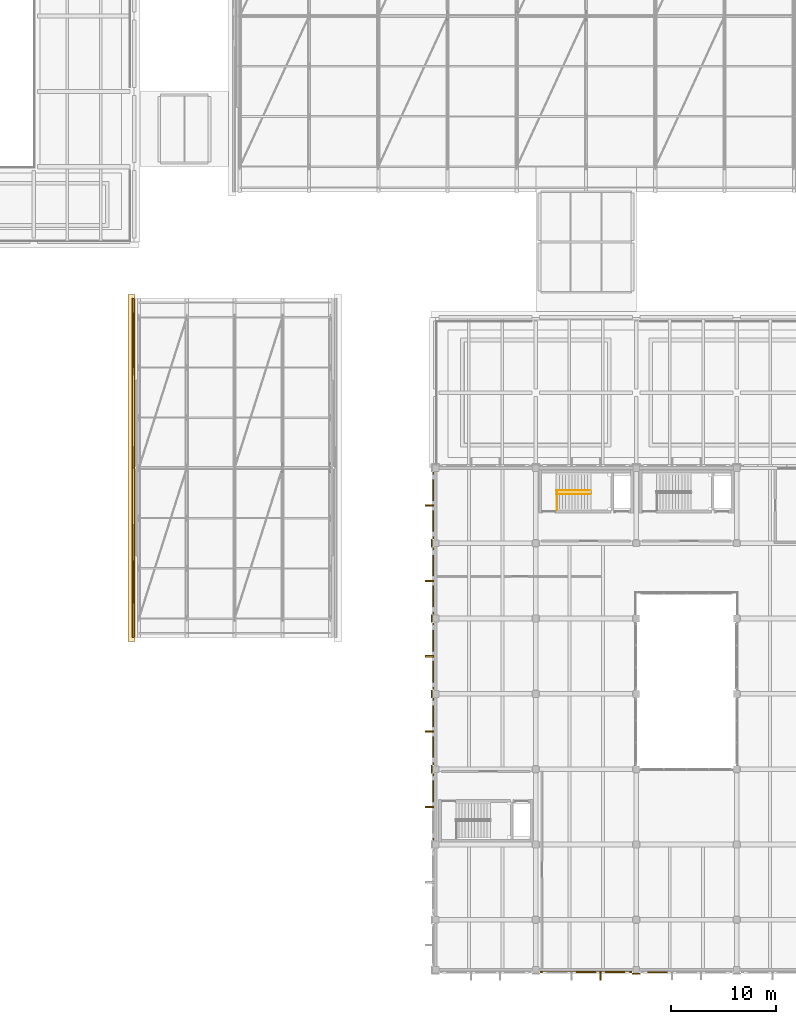
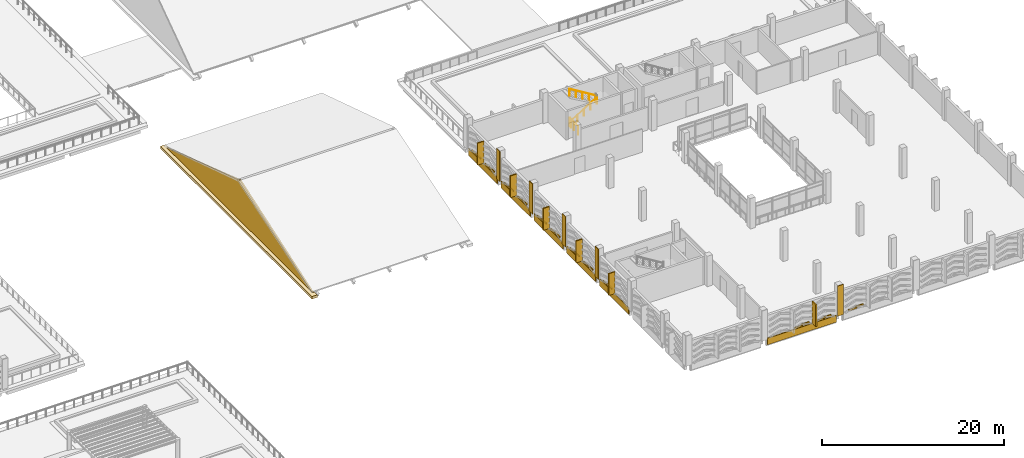
# One storey, part 123 of 134: 43 coverings, 3 railings.
"""IFC4 building model written with IfcOpenShell, lengths in metres."""

from ifc_helpers import new_model, si_unit, direction, frame, origin, origin_2d, place, context, subcontext, project, spatial, polyline, rectangle, circle, outline, extrude, material, layer, layer_set, type_object, element, save


model = new_model("IFC4")

# Units and contexts
model_context = context("Model", 3, precision=1e-05, world=origin(), true_north=direction((0.0, 1.0)))
body_context = subcontext(model_context, "Body", "Model", "MODEL_VIEW")
ifc_project = project(units=[si_unit("LENGTHUNIT", "METRE"), si_unit("AREAUNIT", "SQUARE_METRE"), si_unit("VOLUMEUNIT", "CUBIC_METRE"), si_unit("PLANEANGLEUNIT", "RADIAN"), si_unit("MASSUNIT", "GRAM", prefix="KILO")], contexts=[model_context])

# Site, building, storey
site_placement = place(None, origin())
site = spatial("IfcSite", under=ifc_project, at=site_placement, CompositionType="ELEMENT")
building_placement = place(site_placement, origin())
building = spatial("IfcBuilding", under=site, at=building_placement, Name="Asteropetra Specialist Clinic", CompositionType="ELEMENT")
storey_placement = place(building_placement, frame((0.0, 0.0, 8.5)))
storey = spatial("IfcBuildingStorey", under=building, at=storey_placement, Name="L02", CompositionType="ELEMENT", Elevation=8.5)

# Coverings
ifc_material_1 = material(Name="Chevron aegean mid")
ifc_layer_1 = layer(ifc_material_1, 0.1201171875)
ifc_layer_set_1 = layer_set([ifc_layer_1], Name="Chevron aegean mid")
covering_type_1 = type_object("IfcCoveringType", Name="CLD-AEG-MID", PredefinedType="CLADDING", material=ifc_layer_set_1)
covering_1_placement = place(storey_placement, frame((120.0, -0.197509765625, -0.800048828125), z_axis=(0.0, 0.0, 1.0), x_axis=(1.0, 0.0, 0.0)))
element("IfcCovering", 1, at=covering_1_placement, inside=storey, type_object=covering_type_1, Name="Chevron Spandrel Band CV-2159", PredefinedType="CLADDING", context=body_context, shape_type="SweptSolid", body=[
    extrude(rectangle(XDim=8.75, YDim=0.1201171875, at=origin_2d()), origin(), (0.0, 0.0, 1.0), 0.8798828125),
])
for number, where, z_axis, x_axis, name in (
    (2, (119.590576171875, -0.21240234375, 0.1201171875), (0.0, 0.0, 1.0), (1.0, 0.0, 0.0), "Chevron Ceramic Band CV-2162"),
    (3, (120.409423828125, -0.21240234375, 0.26025390625), (0.0, 0.0, 1.0), (1.0, 0.0, 0.0), "Chevron Ceramic Band CV-2163"),
    (4, (122.360595703125, -0.21240234375, 0.1201171875), (0.0, 0.0, 1.0), (1.0, 0.0, 0.0), "Chevron Ceramic Band CV-2164"),
    (5, (123.179443359375, -0.21240234375, 0.26025390625), (0.0, 0.0, 1.0), (1.0, 0.0, 0.0), "Chevron Ceramic Band CV-2165"),
    (6, (126.42041015625, -0.21240234375, 0.1201171875), (0.0, 0.0, 1.0), (1.0, 0.0, 0.0), "Chevron Ceramic Band CV-2174"),
    (7, (127.239501953125, -0.21240234375, 0.26025390625), (0.0, 0.0, 1.0), (1.0, 0.0, 0.0), "Chevron Ceramic Band CV-2175"),
):
    element("IfcCovering", number, at=place(storey_placement, frame(where, z_axis=z_axis, x_axis=x_axis)), inside=storey, type_object=covering_type_1, Name=name, PredefinedType="CLADDING", context=body_context, shape_type="SweptSolid", body=[
        extrude(rectangle(XDim=1.052978515625, YDim=0.1201171875, at=origin_2d()), origin(), (0.0, 0.0, 1.0), 0.199951171875),
    ])
covering_2_placement = place(storey_placement, frame((105.402587890625, 15.60009765625, -0.800048828125), z_axis=(0.0, 0.0, 1.0), x_axis=(1.0, 0.0, 0.0)))
element("IfcCovering", 8, at=covering_2_placement, inside=storey, type_object=covering_type_1, Name="Chevron Spandrel Band CV-2225", PredefinedType="CLADDING", context=body_context, shape_type="SweptSolid", body=[
    extrude(rectangle(XDim=0.1201171875, YDim=6.35009765625, at=origin_2d()), origin(), (0.0, 0.0, 1.0), 0.8798828125),
])
for number, where, z_axis, x_axis, name in (
    (9, (105.387451171875, 17.5146484375, 0.1201171875), (0.0, 0.0, 1.0), (1.0, 0.0, 0.0), "Chevron Ceramic Band CV-2226"),
    (10, (105.387451171875, 16.640380859375, 0.26025390625), (0.0, 0.0, 1.0), (1.0, 0.0, 0.0), "Chevron Ceramic Band CV-2227"),
):
    element("IfcCovering", number, at=place(storey_placement, frame(where, z_axis=z_axis, x_axis=x_axis)), inside=storey, type_object=covering_type_1, Name=name, PredefinedType="CLADDING", context=body_context, shape_type="SweptSolid", body=[
        extrude(rectangle(XDim=0.1201171875, YDim=1.123046875, at=origin_2d()), origin(), (0.0, 0.0, 1.0), 0.199951171875),
    ])
covering_3_placement = place(storey_placement, frame((105.402587890625, 22.800048828125, -0.800048828125), z_axis=(0.0, 0.0, 1.0), x_axis=(1.0, 0.0, 0.0)))
element("IfcCovering", 11, at=covering_3_placement, inside=storey, type_object=covering_type_1, Name="Chevron Spandrel Band CV-2235", PredefinedType="CLADDING", context=body_context, shape_type="SweptSolid", body=[
    extrude(rectangle(XDim=0.1201171875, YDim=6.35009765625, at=origin_2d()), origin(), (0.0, 0.0, 1.0), 0.8798828125),
])
for number, where, z_axis, x_axis, name in (
    (12, (105.387451171875, 24.714599609375, 0.1201171875), (0.0, 0.0, 1.0), (1.0, 0.0, 0.0), "Chevron Ceramic Band CV-2236"),
    (13, (105.387451171875, 23.840087890625, 0.26025390625), (0.0, 0.0, 1.0), (1.0, 0.0, 0.0), "Chevron Ceramic Band CV-2237"),
    (14, (105.387451171875, 21.759765625, 0.1201171875), (0.0, 0.0, 1.0), (1.0, 0.0, 0.0), "Chevron Ceramic Band CV-2238"),
    (15, (105.387451171875, 20.88525390625, 0.26025390625), (0.0, 0.0, 1.0), (1.0, 0.0, 0.0), "Chevron Ceramic Band CV-2239"),
):
    element("IfcCovering", number, at=place(storey_placement, frame(where, z_axis=z_axis, x_axis=x_axis)), inside=storey, type_object=covering_type_1, Name=name, PredefinedType="CLADDING", context=body_context, shape_type="SweptSolid", body=[
        extrude(rectangle(XDim=0.1201171875, YDim=1.123046875, at=origin_2d()), origin(), (0.0, 0.0, 1.0), 0.199951171875),
    ])
covering_4_placement = place(storey_placement, frame((105.402587890625, 30.0, -0.800048828125), z_axis=(0.0, 0.0, 1.0), x_axis=(1.0, 0.0, 0.0)))
element("IfcCovering", 16, at=covering_4_placement, inside=storey, type_object=covering_type_1, Name="Chevron Spandrel Band CV-2245", PredefinedType="CLADDING", context=body_context, shape_type="SweptSolid", body=[
    extrude(rectangle(XDim=0.1201171875, YDim=6.35009765625, at=origin_2d()), origin(), (0.0, 0.0, 1.0), 0.8798828125),
])
for number, where, z_axis, x_axis, name in (
    (17, (105.387451171875, 31.914794921875, 0.1201171875), (0.0, 0.0, 1.0), (1.0, 0.0, 0.0), "Chevron Ceramic Band CV-2246"),
    (18, (105.387451171875, 31.040283203125, 0.26025390625), (0.0, 0.0, 1.0), (1.0, 0.0, 0.0), "Chevron Ceramic Band CV-2247"),
    (19, (105.387451171875, 28.959716796875, 0.1201171875), (0.0, 0.0, 1.0), (1.0, 0.0, 0.0), "Chevron Ceramic Band CV-2248"),
    (20, (105.387451171875, 28.085205078125, 0.26025390625), (0.0, 0.0, 1.0), (1.0, 0.0, 0.0), "Chevron Ceramic Band CV-2249"),
):
    element("IfcCovering", number, at=place(storey_placement, frame(where, z_axis=z_axis, x_axis=x_axis)), inside=storey, type_object=covering_type_1, Name=name, PredefinedType="CLADDING", context=body_context, shape_type="SweptSolid", body=[
        extrude(rectangle(XDim=0.1201171875, YDim=1.123046875, at=origin_2d()), origin(), (0.0, 0.0, 1.0), 0.199951171875),
    ])
covering_5_placement = place(storey_placement, frame((105.402587890625, 37.199951171875, -0.800048828125), z_axis=(0.0, 0.0, 1.0), x_axis=(1.0, 0.0, 0.0)))
element("IfcCovering", 21, at=covering_5_placement, inside=storey, type_object=covering_type_1, Name="Chevron Spandrel Band CV-2255", PredefinedType="CLADDING", context=body_context, shape_type="SweptSolid", body=[
    extrude(rectangle(XDim=0.1201171875, YDim=6.35009765625, at=origin_2d()), origin(), (0.0, 0.0, 1.0), 0.8798828125),
])
for number, where, z_axis, x_axis, name in (
    (22, (105.387451171875, 39.11474609375, 0.1201171875), (0.0, 0.0, 1.0), (1.0, 0.0, 0.0), "Chevron Ceramic Band CV-2256"),
    (23, (105.387451171875, 38.240234375, 0.26025390625), (0.0, 0.0, 1.0), (1.0, 0.0, 0.0), "Chevron Ceramic Band CV-2257"),
    (24, (105.387451171875, 36.159912109375, 0.1201171875), (0.0, 0.0, 1.0), (1.0, 0.0, 0.0), "Chevron Ceramic Band CV-2258"),
    (25, (105.387451171875, 35.285400390625, 0.26025390625), (0.0, 0.0, 1.0), (1.0, 0.0, 0.0), "Chevron Ceramic Band CV-2259"),
):
    element("IfcCovering", number, at=place(storey_placement, frame(where, z_axis=z_axis, x_axis=x_axis)), inside=storey, type_object=covering_type_1, Name=name, PredefinedType="CLADDING", context=body_context, shape_type="SweptSolid", body=[
        extrude(rectangle(XDim=0.1201171875, YDim=1.123046875, at=origin_2d()), origin(), (0.0, 0.0, 1.0), 0.199951171875),
    ])
covering_6_placement = place(storey_placement, frame((105.402587890625, 44.39990234375, -0.800048828125), z_axis=(0.0, 0.0, 1.0), x_axis=(1.0, 0.0, 0.0)))
element("IfcCovering", 26, at=covering_6_placement, inside=storey, type_object=covering_type_1, Name="Chevron Spandrel Band CV-2265", PredefinedType="CLADDING", context=body_context, shape_type="SweptSolid", body=[
    extrude(rectangle(XDim=0.1201171875, YDim=6.35009765625, at=origin_2d()), origin(), (0.0, 0.0, 1.0), 0.8798828125),
])
for number, where, z_axis, x_axis, name in (
    (27, (105.387451171875, 46.314697265625, 0.1201171875), (0.0, 0.0, 1.0), (1.0, 0.0, 0.0), "Chevron Ceramic Band CV-2266"),
    (28, (105.387451171875, 45.440185546875, 0.26025390625), (0.0, 0.0, 1.0), (1.0, 0.0, 0.0), "Chevron Ceramic Band CV-2267"),
    (29, (105.387451171875, 43.359619140625, 0.1201171875), (0.0, 0.0, 1.0), (1.0, 0.0, 0.0), "Chevron Ceramic Band CV-2268"),
    (30, (105.387451171875, 42.4853515625, 0.26025390625), (0.0, 0.0, 1.0), (1.0, 0.0, 0.0), "Chevron Ceramic Band CV-2269"),
):
    element("IfcCovering", number, at=place(storey_placement, frame(where, z_axis=z_axis, x_axis=x_axis)), inside=storey, type_object=covering_type_1, Name=name, PredefinedType="CLADDING", context=body_context, shape_type="SweptSolid", body=[
        extrude(rectangle(XDim=0.1201171875, YDim=1.123046875, at=origin_2d()), origin(), (0.0, 0.0, 1.0), 0.199951171875),
    ])
ifc_material_2 = material(Name="Pentelic marble ashlar", Category="masonry")
ifc_layer_2 = layer(ifc_material_2, 0.159912109375)
ifc_layer_set_2 = layer_set([ifc_layer_2], Name="Pentelic marble ashlar")
covering_type_2 = type_object("IfcCoveringType", Name="CRN-ENTAB-600", PredefinedType="MOLDING", material=ifc_layer_set_2)
for number, where, z_axis, x_axis, name in (
    (31, (105.242919921875, 19.199951171875, 0.02001953125), (0.0, 0.0, 1.0), (1.0, 0.0, 0.0), "Neoclassical Pilaster Facing CM-1113"),
    (32, (105.242919921875, 26.39990234375, 0.02001953125), (0.0, 0.0, 1.0), (1.0, 0.0, 0.0), "Neoclassical Pilaster Facing CM-1114"),
    (33, (105.242919921875, 33.60009765625, 0.02001953125), (0.0, 0.0, 1.0), (1.0, 0.0, 0.0), "Neoclassical Pilaster Facing CM-1115"),
    (34, (105.242919921875, 40.800048828125, 0.02001953125), (0.0, 0.0, 1.0), (1.0, 0.0, 0.0), "Neoclassical Pilaster Facing CM-1116"),
):
    element("IfcCovering", number, at=place(storey_placement, frame(where, z_axis=z_axis, x_axis=x_axis)), inside=storey, type_object=covering_type_2, Name=name, PredefinedType="MOLDING", context=body_context, shape_type="SweptSolid", body=[
        extrude(rectangle(XDim=0.080078125, YDim=0.72998046875, at=origin_2d()), origin(), (0.0, 0.0, 1.0), 4.0400390625),
    ])
covering_7_placement = place(storey_placement, frame((124.800048828125, -0.35693359375, 0.02001953125), z_axis=(0.0, 0.0, 1.0), x_axis=(1.0, 0.0, 0.0)))
element("IfcCovering", 35, at=covering_7_placement, inside=storey, type_object=covering_type_2, Name="Neoclassical Pilaster Facing CM-1121", PredefinedType="MOLDING", context=body_context, shape_type="SweptSolid", body=[
    extrude(rectangle(XDim=0.72998046875, YDim=0.080078125, at=origin_2d()), origin(), (0.0, 0.0, 1.0), 4.0400390625),
])
covering_8_placement = place(storey_placement, frame((76.639892578125, 31.800048828125, 0.199951171875), z_axis=(-0.99999325335, 0.0, 0.003673316614), x_axis=(0.0, 1.0, 0.0)))
element("IfcCovering", 36, at=covering_8_placement, inside=storey, type_object=covering_type_2, Name="Classical Pediment Tympanum Face TF-008", PredefinedType="MOLDING", context=body_context, shape_type="SweptSolid", body=[
    extrude(outline(polyline([(0.0, 0.0), (32.39990234375, 0.0), (16.199951171875, -5.44998794103741), (0.0, 0.0)])), origin(), (0.0, 0.0, -1.0), 0.159912109375),
])
covering_9_placement = place(storey_placement, frame((76.5400390625, 48.0, -0.06982421875), z_axis=(0.0, 0.0, 1.0), x_axis=(1.0, 0.0, 0.0)))
element("IfcCovering", 37, at=covering_9_placement, inside=storey, type_object=covering_type_2, Name="Pediment Geison Cornice CR-009", PredefinedType="MOLDING", context=body_context, shape_type="SweptSolid", body=[
    extrude(rectangle(XDim=0.679931640625, YDim=33.199951171875, at=origin_2d()), origin(), (0.0, 0.0, 1.0), 0.340087890625),
])
ifc_material_3 = material(Name="Pentelic marble solar fin", Category="masonry")
ifc_layer_3 = layer(ifc_material_3, 0.080078125)
ifc_layer_set_3 = layer_set([ifc_layer_3], Name="Pentelic marble solar fin")
covering_type_3 = type_object("IfcCoveringType", Name="FIN-SOLAR-800", PredefinedType="MOLDING", material=ifc_layer_set_3)
covering_10_placement = place(storey_placement, frame((121.385009765625, -0.552490234375, 0.070068359375), z_axis=(0.0, 0.0, 1.0), x_axis=(1.0, 0.0, 0.0)))
element("IfcCovering", 38, at=covering_10_placement, inside=storey, type_object=covering_type_3, Name="Solar Shading Fin FN-0189", PredefinedType="MOLDING", context=body_context, shape_type="SweptSolid", body=[
    extrude(rectangle(XDim=0.159912109375, YDim=0.800048828125, at=origin_2d()), origin(), (0.0, 0.0, 1.0), 2.919921875),
])
for number, where, z_axis, x_axis, name in (
    (39, (105.047607421875, 15.60009765625, 0.070068359375), (0.0, 0.0, 1.0), (1.0, 0.0, 0.0), "Solar Shading Fin FN-0206"),
    (40, (105.047607421875, 22.800048828125, 0.070068359375), (0.0, 0.0, 1.0), (1.0, 0.0, 0.0), "Solar Shading Fin FN-0208"),
    (41, (105.047607421875, 30.0, 0.070068359375), (0.0, 0.0, 1.0), (1.0, 0.0, 0.0), "Solar Shading Fin FN-0210"),
    (42, (105.047607421875, 37.199951171875, 0.070068359375), (0.0, 0.0, 1.0), (1.0, 0.0, 0.0), "Solar Shading Fin FN-0212"),
    (43, (105.047607421875, 44.39990234375, 0.070068359375), (0.0, 0.0, 1.0), (1.0, 0.0, 0.0), "Solar Shading Fin FN-0214"),
):
    element("IfcCovering", number, at=place(storey_placement, frame(where, z_axis=z_axis, x_axis=x_axis)), inside=storey, type_object=covering_type_3, Name=name, PredefinedType="MOLDING", context=body_context, shape_type="SweptSolid", body=[
        extrude(rectangle(XDim=0.800048828125, YDim=0.159912109375, at=origin_2d()), origin(), (0.0, 0.0, 1.0), 2.919921875),
    ])

# Railings
ifc_material_4 = material(Name="Steel S355 and laminated glass guard", Category="steel")
railing_type_1 = type_object("IfcRailingType", Name="GRD-INT-1120", PredefinedType="GUARDRAIL", material=ifc_material_4)
railing_1_placement = place(storey_placement, frame((117.199951171875, 43.97998046875, 0.0)))
element("IfcRailing", 44, at=railing_1_placement, inside=storey, type_object=railing_type_1, Name="Stair Well Guard ST10-L01", PredefinedType="GUARDRAIL", context=body_context, shape_type="SweptSolid", body=[
    extrude(circle(Radius=0.02392578125, at=origin_2d()), frame((0.0, 0.0, 1.09619140625), z_axis=(0.0, 1.0, 0.0), x_axis=(-1.0, 0.0, 0.0)), (0.0, 0.0, 1.0), 1.830078125),
    extrude(circle(Radius=0.02099609375, at=origin_2d()), origin(), (0.0, 0.0, 1.0), 1.072021484375),
    extrude(circle(Radius=0.02099609375, at=origin_2d()), frame((0.0, 0.9150390625, 0.0)), (0.0, 0.0, 1.0), 1.072021484375),
    extrude(circle(Radius=0.02099609375, at=origin_2d()), frame((0.0, 1.830078125, 0.0)), (0.0, 0.0, 1.0), 1.072021484375),
])
ifc_material_5 = material(Name="Brushed stainless steel handrail", Category="steel")
railing_type_2 = type_object("IfcRailingType", Name="HRL-STAIR-920", PredefinedType="HANDRAIL", material=ifc_material_5)
railing_2_placement = place(storey_placement, frame((117.14990234375, 45.52001953125, 0.0)))
element("IfcRailing", 45, at=railing_2_placement, inside=storey, type_object=railing_type_2, Name="Stair Handrail ST10-L02 F1", PredefinedType="HANDRAIL", context=body_context, shape_type="SweptSolid", body=[
    extrude(circle(Radius=0.02392578125, at=origin_2d()), frame((0.0, 0.0, 0.89599609375), z_axis=(0.850593546085, 0.0, 0.525823753132), x_axis=(0.0, 1.0, 0.0)), (0.0, 0.0, 1.0), 3.879638671875),
    extrude(circle(Radius=0.02099609375, at=origin_2d()), origin(), (0.0, 0.0, 1.0), 0.871826171875),
    extrude(circle(Radius=0.02099609375, at=origin_2d()), frame((0.824951171875, 0.0, 0.510009765625)), (0.0, 0.0, 1.0), 0.871826171875),
    extrude(circle(Radius=0.02099609375, at=origin_2d()), frame((1.64990234375, 0.0, 1.02001953125)), (0.0, 0.0, 1.0), 0.871826171875),
    extrude(circle(Radius=0.02099609375, at=origin_2d()), frame((2.47509765625, 0.0, 1.530029296875)), (0.0, 0.0, 1.0), 0.871826171875),
    extrude(circle(Radius=0.02099609375, at=origin_2d()), frame((3.300048828125, 0.0, 2.0400390625)), (0.0, 0.0, 1.0), 0.871826171875),
])
railing_3_placement = place(storey_placement, frame((120.449951171875, 45.860107421875, 2.0400390625)))
element("IfcRailing", 46, at=railing_3_placement, inside=storey, type_object=railing_type_2, Name="Stair Handrail ST10-L02 F2", PredefinedType="HANDRAIL", context=body_context, shape_type="SweptSolid", body=[
    extrude(circle(Radius=0.02392578125, at=origin_2d()), frame((0.0, 0.0, 0.89599609375), z_axis=(-0.850593546085, 0.0, 0.525823753132), x_axis=(0.0, -1.0, 0.0)), (0.0, 0.0, 1.0), 3.879638671875),
    extrude(circle(Radius=0.02099609375, at=origin_2d()), origin(), (0.0, 0.0, 1.0), 0.871826171875),
    extrude(circle(Radius=0.02099609375, at=origin_2d()), frame((-0.824951171875, 0.0, 0.510009765625)), (0.0, 0.0, 1.0), 0.871826171875),
    extrude(circle(Radius=0.02099609375, at=origin_2d()), frame((-1.64990234375, 0.0, 1.02001953125)), (0.0, 0.0, 1.0), 0.871826171875),
    extrude(circle(Radius=0.02099609375, at=origin_2d()), frame((-2.47509765625, 0.0, 1.530029296875)), (0.0, 0.0, 1.0), 0.871826171875),
    extrude(circle(Radius=0.02099609375, at=origin_2d()), frame((-3.300048828125, 0.0, 2.0400390625)), (0.0, 0.0, 1.0), 0.871826171875),
])

save(model, "model.ifc")
